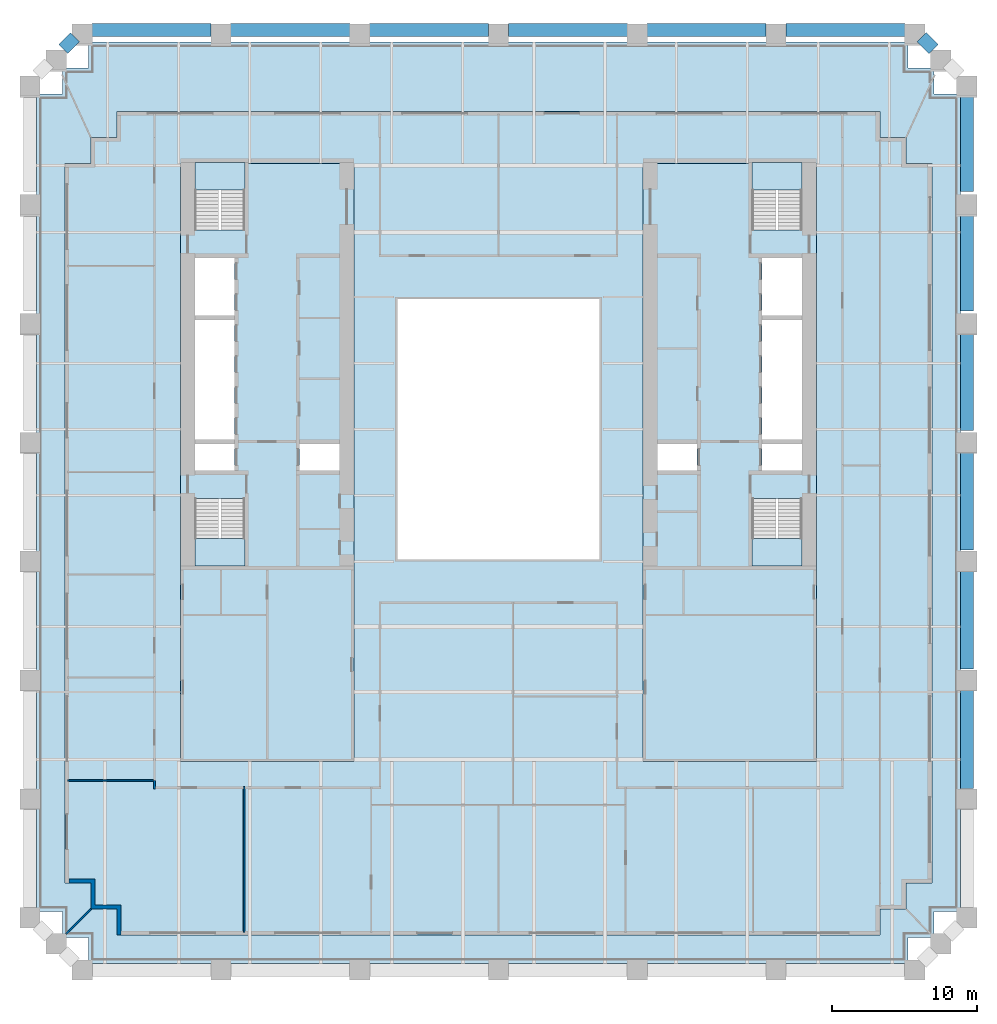
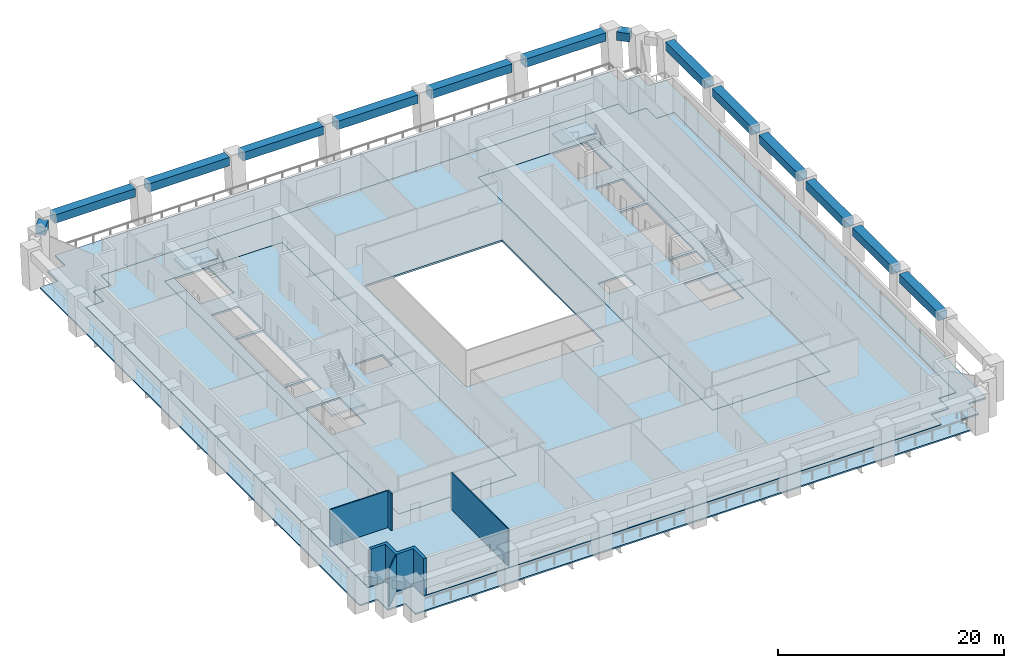
# One storey, part 2 of 10: 14 beams, 8 slabs, 5 walls, 4 elements without a shape of their own.
"""IFC4 building model written with IfcOpenShell, lengths in metres."""

from ifc_helpers import new_model, si_unit, direction, frame, frame_2d, origin, origin_2d, place, context, subcontext, project, spatial, polyline, rectangle, outline, extrude, material, layer, layer_set, material_profile, profile_set, type_object, element, aggregate, save


model = new_model("IFC4")

# Units and contexts
model_context = context("Model", 3, precision=1e-05, world=origin(), true_north=direction((0.0, 1.0)))
body_context = subcontext(model_context, "Body", "Model", "MODEL_VIEW")
ifc_project = project(units=[si_unit("LENGTHUNIT", "METRE"), si_unit("AREAUNIT", "SQUARE_METRE"), si_unit("VOLUMEUNIT", "CUBIC_METRE"), si_unit("PLANEANGLEUNIT", "RADIAN"), si_unit("MASSUNIT", "GRAM", prefix="KILO")], contexts=[model_context])

# Site, building, storey
site_placement = place(None, origin())
site = spatial("IfcSite", under=ifc_project, at=site_placement, CompositionType="ELEMENT")
building_placement = place(site_placement, origin())
building = spatial("IfcBuilding", under=site, at=building_placement, Name="Ogive Exchange Tower", CompositionType="ELEMENT")
storey_placement = place(building_placement, frame((0.0, 0.0, 64.800048828125)))
storey = spatial("IfcBuildingStorey", under=building, at=storey_placement, Name="L13", CompositionType="ELEMENT", Elevation=64.800048828125)

# Beams
ifc_material_1 = material(Name="Precast concrete C70/85 (limestone faced)", Category="masonry")
ifc_material_profile = material_profile(ifc_material_1, rectangle(XDim=0.89990234375, YDim=0.89990234375, at=origin_2d()), Name="900 x 900")
ifc_profile_set = profile_set([ifc_material_profile], Name="Precast concrete C70/85 (limestone faced)")
beam_type = type_object("IfcBeamType", Name="Precast spandrel 900 x 900 C70/85", PredefinedType="SPANDREL", material=ifc_profile_set)
for number, where, z_axis, x_axis, name in (
    (1, (32.39990234375, -17.8603515625, 3.5), (0.0, 1.0, 0.0), (-1.0, 0.0, 0.0), "Spandrel 10"),
    (2, (32.39990234375, -9.6005859375, 3.5), (0.0, 1.0, 0.0), (-1.0, 0.0, 0.0), "Spandrel 11"),
    (3, (32.39990234375, -1.3408203125, 3.5), (0.0, 1.0, 0.0), (-1.0, 0.0, 0.0), "Spandrel 12"),
):
    element("IfcBeam", number, at=place(storey_placement, frame(where, z_axis=z_axis, x_axis=x_axis)), inside=storey, type_object=beam_type, Name=name, PredefinedType="SPANDREL", context=body_context, shape_type="SweptSolid", body=[
        extrude(rectangle(XDim=0.89990234375, YDim=0.89990234375, at=origin_2d()), origin(), (0.0, 0.0, 1.0), 6.89990234375),
    ])
for number, where, z_axis, x_axis, name in (
    (4, (32.39990234375, 6.9189453125, 3.5), (0.0, 1.0, 0.0), (-1.0, 0.0, 0.0), "Spandrel 13"),
    (5, (32.39990234375, 15.1787109375, 3.5), (0.0, 1.0, 0.0), (-1.0, 0.0, 0.0), "Spandrel 14"),
    (6, (32.39990234375, 23.4384765625, 3.5), (0.0, 1.0, 0.0), (-1.0, 0.0, 0.0), "Spandrel 15"),
):
    element("IfcBeam", number, at=place(storey_placement, frame(where, z_axis=z_axis, x_axis=x_axis)), inside=storey, type_object=beam_type, Name=name, PredefinedType="SPANDREL", context=body_context, shape_type="SweptSolid", body=[
        extrude(rectangle(XDim=0.89990234375, YDim=0.89990234375, at=origin_2d()), origin(), (0.0, 0.0, 1.0), 6.899658203125),
    ])
beam_1_placement = place(storey_placement, frame((30.112060546875, 33.305908203125, 3.5), z_axis=(-0.707002063412, 0.707211483455, 0.0), x_axis=(-0.707211483455, -0.707002063412, 0.0)))
element("IfcBeam", 7, at=beam_1_placement, inside=storey, type_object=beam_type, Name="Spandrel 17", PredefinedType="SPANDREL", context=body_context, shape_type="SweptSolid", body=[
    extrude(rectangle(XDim=0.89990234375, YDim=0.89990234375, at=origin_2d()), origin(), (0.0, 0.0, 1.0), 1.165771484375),
])
beam_2_placement = place(storey_placement, frame((28.1201171875, 34.6181640625, 3.5), z_axis=(-1.0, 0.0, 0.0), x_axis=(0.0, -1.0, 0.0)))
element("IfcBeam", 8, at=beam_2_placement, inside=storey, type_object=beam_type, Name="Spandrel 18", PredefinedType="SPANDREL", context=body_context, shape_type="SweptSolid", body=[
    extrude(rectangle(XDim=0.89990234375, YDim=0.89990234375, at=origin_2d()), origin(), (0.0, 0.0, 1.0), 8.240234375),
])
for number, where, z_axis, x_axis, name in (
    (9, (18.52001953125, 34.6181640625, 3.5), (-1.0, 0.0, 0.0), (0.0, -1.0, 0.0), "Spandrel 19"),
    (10, (8.919921875, 34.6181640625, 3.5), (-1.0, 0.0, 0.0), (0.0, -1.0, 0.0), "Spandrel 20"),
    (11, (-0.679931640625, 34.6181640625, 3.5), (-1.0, 0.0, 0.0), (0.0, -1.0, 0.0), "Spandrel 21"),
    (12, (-10.280029296875, 34.6181640625, 3.5), (-1.0, 0.0, 0.0), (0.0, -1.0, 0.0), "Spandrel 22"),
):
    element("IfcBeam", number, at=place(storey_placement, frame(where, z_axis=z_axis, x_axis=x_axis)), inside=storey, type_object=beam_type, Name=name, PredefinedType="SPANDREL", context=body_context, shape_type="SweptSolid", body=[
        extrude(rectangle(XDim=0.89990234375, YDim=0.89990234375, at=origin_2d()), origin(), (0.0, 0.0, 1.0), 8.239990234375),
    ])
beam_3_placement = place(storey_placement, frame((-19.8798828125, 34.6181640625, 3.5), z_axis=(-1.0, 0.0, 0.0), x_axis=(0.0, -1.0, 0.0)))
element("IfcBeam", 13, at=beam_3_placement, inside=storey, type_object=beam_type, Name="Spandrel 23", PredefinedType="SPANDREL", context=body_context, shape_type="SweptSolid", body=[
    extrude(rectangle(XDim=0.89990234375, YDim=0.89990234375, at=origin_2d()), origin(), (0.0, 0.0, 1.0), 8.240234375),
])
beam_4_placement = place(storey_placement, frame((-29.287841796875, 34.13037109375, 3.5), z_axis=(-0.707002063412, -0.707211483455, 0.0), x_axis=(0.707211483455, -0.707002063412, 0.0)))
element("IfcBeam", 14, at=beam_4_placement, inside=storey, type_object=beam_type, Name="Spandrel 24", PredefinedType="SPANDREL", context=body_context, shape_type="SweptSolid", body=[
    extrude(rectangle(XDim=0.89990234375, YDim=0.89990234375, at=origin_2d()), origin(), (0.0, 0.0, 1.0), 1.165771484375),
])

# Slabs
ifc_material_2 = material(Name="Concrete C50/60", Category="concrete")
ifc_layer_1 = layer(ifc_material_2, 0.199951171875)
ifc_layer_set_1 = layer_set([ifc_layer_1], Name="Composite floor slab 200")
slab_type_1 = type_object("IfcSlabType", Name="Composite floor slab 200", PredefinedType="FLOOR", material=ifc_layer_set_1)
slab_1_placement = place(storey_placement, frame((0.0, 0.0, -0.199951171875)))
element("IfcSlab", 15, at=slab_1_placement, inside=storey, type_object=slab_type_1, Name="Composite floor slab", PredefinedType="FLOOR", context=body_context, shape_type="SweptSolid", body=[
    extrude(outline(polyline([(-26.39990234375, -26.199951171875), (-28.199951171875, -26.199951171875), (-28.199951171875, -24.39990234375), (-30.0, -24.39990234375), (-30.0, 25.39990234375), (-28.199951171875, 25.39990234375), (-28.199951171875, 27.199951171875), (-26.39990234375, 27.199951171875), (-26.39990234375, 29.0), (26.39990234375, 29.0), (26.39990234375, 27.199951171875), (28.199951171875, 27.199951171875), (28.199951171875, 25.39990234375), (30.0, 25.39990234375), (30.0, -24.39990234375), (28.199951171875, -24.39990234375), (28.199951171875, -26.199951171875), (26.39990234375, -26.199951171875), (26.39990234375, -28.0), (-26.39990234375, -28.0), (-26.39990234375, -26.199951171875)]), holes=[polyline([(-10.0, -16.0), (-10.0, 25.39990234375), (-22.0, 25.39990234375), (-22.0, -16.0), (-10.0, -16.0)]), polyline([(10.0, -16.0), (22.0, -16.0), (22.0, 25.39990234375), (10.0, 25.39990234375), (10.0, -16.0)]), polyline([(-7.0, -2.0), (7.0, -2.0), (7.0, 16.0), (-7.0, 16.0), (-7.0, -2.0)])]), origin(), (0.0, 0.0, 1.0), 0.199951171875),
])
ifc_material_3 = material(Name="Concrete C70/85", Category="concrete")
ifc_layer_2 = layer(ifc_material_3, 0.199951171875)
ifc_layer_set_2 = layer_set([ifc_layer_2], Name="Core floor slab 200")
slab_type_2 = type_object("IfcSlabType", Name="Core floor slab 200", PredefinedType="FLOOR", material=ifc_layer_set_2)
slab_2_placement = place(storey_placement, frame((0.0, 0.0, -0.199951171875)))
element("IfcSlab", 16, at=slab_2_placement, inside=storey, type_object=slab_type_2, Name="Core floor slab", PredefinedType="FLOOR", context=body_context, shape_type="SweptSolid", body=[
    extrude(outline(polyline([(-10.0, 25.39990234375), (-10.0, -16.0), (-22.0, -16.0), (-22.0, 25.39990234375), (-21.0, 25.39990234375), (-21.0, 20.803955078125), (-17.550048828125, 20.803955078125), (-17.550048828125, 25.39990234375), (-10.0, 25.39990234375)]), holes=[polyline([(-17.550048828125, 2.196044921875), (-21.0, 2.196044921875), (-21.0, -2.449951171875), (-17.550048828125, -2.449951171875), (-17.550048828125, 2.196044921875)]), polyline([(-18.25, 5.992919921875), (-21.0, 5.992919921875), (-21.0, 4.14990234375), (-18.25, 4.14990234375), (-18.25, 5.992919921875)]), polyline([(-11.0, 5.992919921875), (-13.75, 5.992919921875), (-13.75, 4.14990234375), (-11.0, 4.14990234375), (-11.0, 5.992919921875)]), polyline([(-21.0, 14.564208984375), (-21.0, 6.29296875), (-18.25, 6.29296875), (-18.25, 14.564208984375), (-21.0, 14.564208984375)]), polyline([(-18.25, 18.85009765625), (-21.0, 18.85009765625), (-21.0, 14.8642578125), (-18.25, 14.8642578125), (-18.25, 18.85009765625)])]), origin(), (0.0, 0.0, 1.0), 0.199951171875),
])
slab_3_placement = place(storey_placement, frame((0.0, 0.0, -0.199951171875)))
element("IfcSlab", 17, at=slab_3_placement, inside=storey, type_object=slab_type_2, Name="Core floor slab", PredefinedType="FLOOR", context=body_context, shape_type="SweptSolid", body=[
    extrude(outline(polyline([(22.0, 25.39990234375), (22.0, -16.0), (10.0, -16.0), (10.0, 25.39990234375), (17.550048828125, 25.39990234375), (17.550048828125, 20.803955078125), (21.0, 20.803955078125), (21.0, 25.39990234375), (22.0, 25.39990234375)]), holes=[polyline([(21.0, 2.196044921875), (17.550048828125, 2.196044921875), (17.550048828125, -2.449951171875), (21.0, -2.449951171875), (21.0, 2.196044921875)]), polyline([(13.75, 5.992919921875), (11.0, 5.992919921875), (11.0, 4.14990234375), (13.75, 4.14990234375), (13.75, 5.992919921875)]), polyline([(21.0, 5.992919921875), (18.25, 5.992919921875), (18.25, 4.14990234375), (21.0, 4.14990234375), (21.0, 5.992919921875)]), polyline([(18.25, 14.564208984375), (18.25, 6.29296875), (21.0, 6.29296875), (21.0, 14.564208984375), (18.25, 14.564208984375)]), polyline([(21.0, 18.85009765625), (18.25, 18.85009765625), (18.25, 14.8642578125), (21.0, 14.8642578125), (21.0, 18.85009765625)])]), origin(), (0.0, 0.0, 1.0), 0.199951171875),
])
ifc_layer_3 = layer(ifc_material_2, 0.14990234375)
ifc_layer_set_3 = layer_set([ifc_layer_3], Name="Loggia deck 150")
slab_type_3 = type_object("IfcSlabType", Name="Loggia deck 150", PredefinedType="FLOOR", material=ifc_layer_set_3)
slab_4_placement = place(storey_placement, frame((0.0, 0.0, -0.199951171875)))
element("IfcSlab", 18, at=slab_4_placement, inside=storey, type_object=slab_type_3, Name="Loggia deck", PredefinedType="FLOOR", context=body_context, shape_type="SweptSolid", body=[
    extrude(outline(polyline([(-28.35009765625, -28.14990234375), (-30.14990234375, -28.14990234375), (-30.14990234375, -26.35009765625), (-31.949951171875, -26.35009765625), (-31.949951171875, 30.186279296875), (-30.14990234375, 30.186279296875), (-30.14990234375, 31.986328125), (-28.35009765625, 31.986328125), (-28.35009765625, 33.786376953125), (28.35009765625, 33.786376953125), (28.35009765625, 31.986328125), (30.14990234375, 31.986328125), (30.14990234375, 30.186279296875), (31.949951171875, 30.186279296875), (31.949951171875, -26.35009765625), (30.14990234375, -26.35009765625), (30.14990234375, -28.14990234375), (28.35009765625, -28.14990234375), (28.35009765625, -29.949951171875), (-28.35009765625, -29.949951171875), (-28.35009765625, -28.14990234375)]), holes=[polyline([(26.39990234375, -26.199951171875), (28.199951171875, -26.199951171875), (28.199951171875, -24.39990234375), (30.0, -24.39990234375), (30.0, 25.39990234375), (28.199951171875, 25.39990234375), (28.199951171875, 27.199951171875), (26.39990234375, 27.199951171875), (26.39990234375, 29.0), (-26.39990234375, 29.0), (-26.39990234375, 27.199951171875), (-28.199951171875, 27.199951171875), (-28.199951171875, 25.39990234375), (-30.0, 25.39990234375), (-30.0, -24.39990234375), (-28.199951171875, -24.39990234375), (-28.199951171875, -26.199951171875), (-26.39990234375, -26.199951171875), (-26.39990234375, -28.0), (26.39990234375, -28.0), (26.39990234375, -26.199951171875)])]), origin(), (0.0, 0.0, 1.0), 0.14990234375),
])

# Stair, slab
ifc_material_4 = material(Name="Concrete C40/50", Category="concrete")
stair_type = type_object("IfcStairType", Name="Exit stair 1650 wide", PredefinedType="HALF_TURN_STAIR", material=ifc_material_4)
stair_1_placement = place(storey_placement, origin())
stair_1 = element("IfcStair", 19, at=stair_1_placement, inside=storey, type_object=stair_type, Name="L13 exit stair ST1", PredefinedType="HALF_TURN_STAIR")
ifc_layer_4 = layer(ifc_material_4, 0.199951171875)
ifc_layer_set_4 = layer_set([ifc_layer_4], Name="Stair landing 200 slab")
slab_type_4 = type_object("IfcSlabType", Name="Stair landing 200 slab", PredefinedType="LANDING", material=ifc_layer_set_4)
slab_5_placement = place(storey_placement, frame((0.0, 0.0, 1.89990234375)))
slab_5 = element("IfcSlab", 20, at=slab_5_placement, type_object=slab_type_4, Name="ST1 landing 1", PredefinedType="LANDING", context=body_context, shape_type="SweptSolid", body=[
    extrude(outline(polyline([(-21.0, -0.550048828125), (-21.0, -2.449951171875), (-17.550048828125, -2.449951171875), (-17.550048828125, -0.550048828125), (-21.0, -0.550048828125)])), origin(), (0.0, 0.0, 1.0), 0.199951171875),
])
aggregate(stair_1, [slab_5])

stair_2_placement = place(storey_placement, origin())
stair_2 = element("IfcStair", 21, at=stair_2_placement, inside=storey, type_object=stair_type, Name="L13 exit stair ST2", PredefinedType="HALF_TURN_STAIR")
slab_6_placement = place(storey_placement, frame((0.0, 0.0, 1.89990234375)))
slab_6 = element("IfcSlab", 22, at=slab_6_placement, type_object=slab_type_4, Name="ST2 landing 1", PredefinedType="LANDING", context=body_context, shape_type="SweptSolid", body=[
    extrude(outline(polyline([(-17.550048828125, 23.550048828125), (-17.550048828125, 25.449951171875), (-21.0, 25.449951171875), (-21.0, 23.550048828125), (-17.550048828125, 23.550048828125)])), origin(), (0.0, 0.0, 1.0), 0.199951171875),
])
aggregate(stair_2, [slab_6])

stair_3_placement = place(storey_placement, origin())
stair_3 = element("IfcStair", 23, at=stair_3_placement, inside=storey, type_object=stair_type, Name="L13 exit stair ST3", PredefinedType="HALF_TURN_STAIR")
slab_7_placement = place(storey_placement, frame((0.0, 0.0, 1.89990234375)))
slab_7 = element("IfcSlab", 24, at=slab_7_placement, type_object=slab_type_4, Name="ST3 landing 1", PredefinedType="LANDING", context=body_context, shape_type="SweptSolid", body=[
    extrude(outline(polyline([(17.550048828125, -0.550048828125), (17.550048828125, -2.449951171875), (21.0, -2.449951171875), (21.0, -0.550048828125), (17.550048828125, -0.550048828125)])), origin(), (0.0, 0.0, 1.0), 0.199951171875),
])
aggregate(stair_3, [slab_7])

stair_4_placement = place(storey_placement, origin())
stair_4 = element("IfcStair", 25, at=stair_4_placement, inside=storey, type_object=stair_type, Name="L13 exit stair ST4", PredefinedType="HALF_TURN_STAIR")
slab_8_placement = place(storey_placement, frame((0.0, 0.0, 1.89990234375)))
slab_8 = element("IfcSlab", 26, at=slab_8_placement, type_object=slab_type_4, Name="ST4 landing 1", PredefinedType="LANDING", context=body_context, shape_type="SweptSolid", body=[
    extrude(outline(polyline([(21.0, 23.550048828125), (21.0, 25.449951171875), (17.550048828125, 25.449951171875), (17.550048828125, 23.550048828125), (21.0, 23.550048828125)])), origin(), (0.0, 0.0, 1.0), 0.199951171875),
])
aggregate(stair_4, [slab_8])

# Walls
ifc_material_5 = material(Name="Fire partition EI 60 150")
ifc_layer_5 = layer(ifc_material_5, 0.14990234375)
ifc_layer_set_5 = layer_set([ifc_layer_5], Name="Fire partition EI 60 150")
wall_type_1 = type_object("IfcWallType", Name="Fire partition EI 60 150", PredefinedType="PARTITIONING", material=ifc_layer_set_5)
wall_1_placement = place(storey_placement, frame((-23.800048828125, -17.875, 0.0), z_axis=(0.0, 0.0, 1.0), x_axis=(0.0, 1.0, 0.0)))
element("IfcWall", 27, at=wall_1_placement, inside=storey, type_object=wall_type_1, Name="L13-PWL-001", PredefinedType="PARTITIONING", context=body_context, shape_type="SweptSolid", body=[
    extrude(rectangle(XDim=0.5849609375, YDim=0.14990234375, at=frame_2d((0.29248046875, 0.0))), origin(), (0.0, 0.0, 1.0), 4.0),
])
ifc_material_6 = material(Name="Precast concrete C40/50", Category="concrete")
ifc_layer_6 = layer(ifc_material_6, 0.300048828125)
ifc_layer_set_6 = layer_set([ifc_layer_6], Name="Limestone-faced wall 300")
wall_type_2 = type_object("IfcWallType", Name="Limestone-faced wall 300", PredefinedType="STANDARD", material=ifc_layer_set_6)
wall_2_placement = place(storey_placement, origin())
element("IfcWall", 28, at=wall_2_placement, inside=storey, type_object=wall_type_2, Name="External corner wall C4", PredefinedType="STANDARD", context=body_context, shape_type="SweptSolid", body=[
    extrude(outline(polyline([(-26.39990234375, -26.199951171875), (-28.199951171875, -26.199951171875), (-28.199951171875, -24.39990234375), (-29.699951171875, -24.39990234375), (-29.699951171875, -24.10009765625), (-27.89990234375, -24.10009765625), (-27.89990234375, -25.89990234375), (-26.10009765625, -25.89990234375), (-26.10009765625, -28.0), (-26.39990234375, -28.0), (-26.39990234375, -26.199951171875)])), origin(), (0.0, 0.0, 1.0), 4.0),
])
ifc_material_7 = material(Name="Laminated safety glass in steel frame", Category="steel")
ifc_layer_7 = layer(ifc_material_7, 0.10009765625)
ifc_layer_set_7 = layer_set([ifc_layer_7], Name="Loggia end screen 100")
wall_type_3 = type_object("IfcWallType", Name="Loggia end screen 100", PredefinedType="STANDARD", material=ifc_layer_set_7)
wall_3_placement = place(storey_placement, frame((-28.199951171875, -26.199951171875, -0.050048828125), z_axis=(0.0, 0.0, 1.0), x_axis=(-0.707106781187, -0.707106781187, 0.0)))
element("IfcWall", 29, at=wall_3_placement, inside=storey, type_object=wall_type_3, Name="Loggia end screen C4", PredefinedType="STANDARD", context=body_context, shape_type="SweptSolid", body=[
    extrude(rectangle(XDim=2.384521484375, YDim=0.10009765625, at=frame_2d((1.1923828125, 0.0))), origin(), (0.0, 0.0, 1.0), 4.050048828125),
])
ifc_material_8 = material(Name="Partition 100 gypsum")
ifc_layer_8 = layer(ifc_material_8, 0.10009765625)
ifc_layer_set_8 = layer_set([ifc_layer_8], Name="Partition 100 gypsum")
wall_type_4 = type_object("IfcWallType", Name="Partition 100 gypsum", PredefinedType="PARTITIONING", material=ifc_layer_set_8)
wall_4_placement = place(storey_placement, frame((-23.875, -17.2900390625, 0.0), z_axis=(0.0, 0.0, 1.0), x_axis=(-1.0, 0.0, 0.0)))
element("IfcWall", 30, at=wall_4_placement, inside=storey, type_object=wall_type_4, Name="L13-PWL-002", PredefinedType="PARTITIONING", context=body_context, shape_type="SweptSolid", body=[
    extrude(rectangle(XDim=5.925048828125, YDim=0.10009765625, at=frame_2d((2.96240234375, 0.0))), origin(), (0.0, 0.0, 1.0), 4.0),
])
wall_5_placement = place(storey_placement, frame((-17.60009765625, -27.800048828125, 0.0), z_axis=(0.0, 0.0, 1.0), x_axis=(0.0, 1.0, 0.0)))
element("IfcWall", 31, at=wall_5_placement, inside=storey, type_object=wall_type_4, Name="L13-PWL-013", PredefinedType="PARTITIONING", context=body_context, shape_type="SweptSolid", body=[
    extrude(rectangle(XDim=10.074951171875, YDim=0.10009765625, at=frame_2d((5.03759765625, 0.0))), origin(), (0.0, 0.0, 1.0), 4.0),
])

save(model, "model.ifc")
